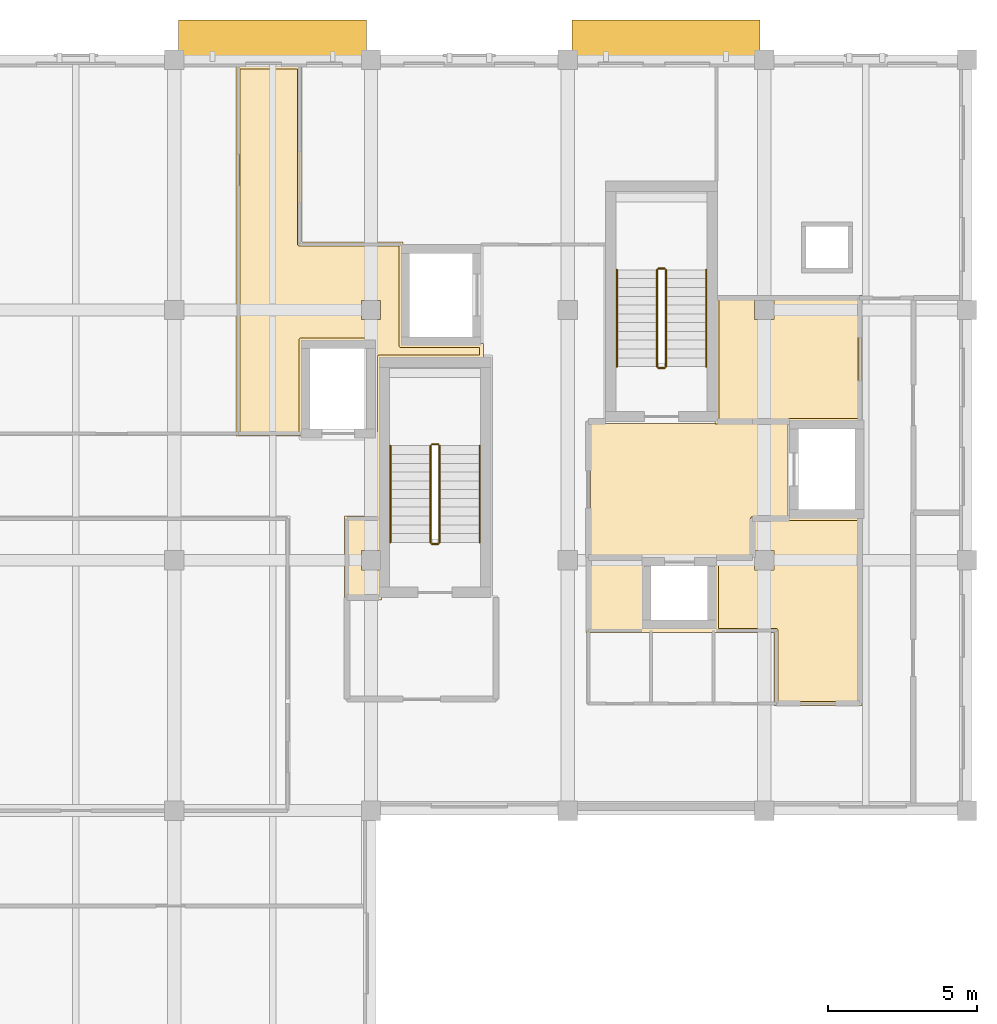
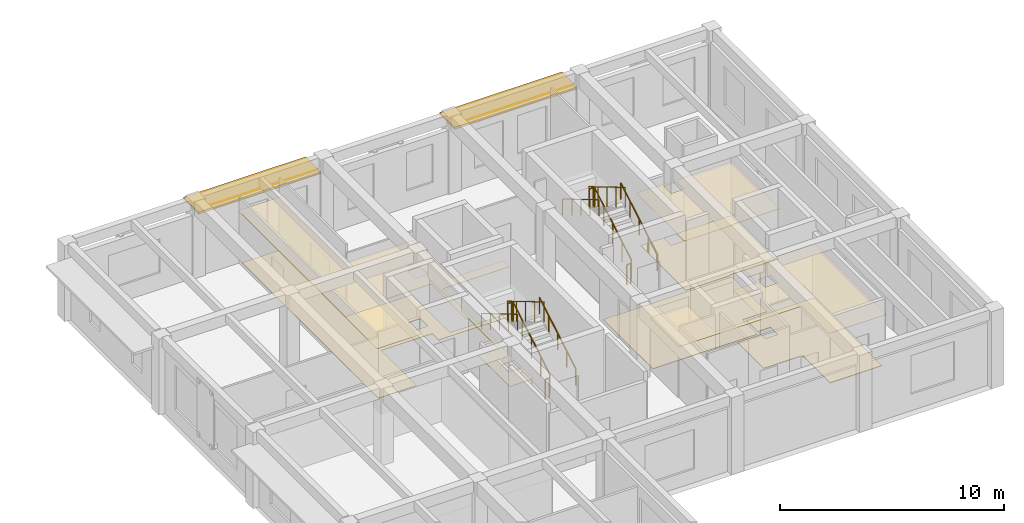
# One storey, part 14 of 14: 12 railings, 7 coverings, 2 shading devices.
"""IFC4 building model written with IfcOpenShell, lengths in metres."""

import ifcopenshell
import ifcopenshell.guid

model = None  # the IFC model being written
_history = None  # IfcOwnerHistory: only IFC2X3 demands one
_inside = {}  # id of a spatial element -> (the spatial element, [elements in it])
_under = {}  # id of a project, library or spatial element -> (it, [spatial elements below it])
_declared = {}  # id of a project -> (the project, [libraries it declares])
_typed = {}  # id of a type object -> (the type object, [elements of that type])
_made_of = {}  # id of a material, layer set ... -> (it, [elements and type objects made of it])


def new_model(schema):
    """Start an empty IFC model of exactly this schema.

    Asked for "IFC4X3", IfcOpenShell would pick the latest addendum, in which some entities
    have other attributes; the version numbers below select the first issue.
    IFC2X3 requires an IfcOwnerHistory on every rooted entity: one is made here for all.
    """
    global model, _history
    if schema == "IFC4X3":
        model = ifcopenshell.file(schema_version=(4, 3, 0, 0))
    else:
        model = ifcopenshell.file(schema=schema)
    _inside.clear()
    _under.clear()
    _declared.clear()
    _typed.clear()
    _made_of.clear()
    _history = None
    if model.schema == "IFC2X3":
        org = make("IfcOrganization", Name="unknown")
        user = make(
            "IfcPersonAndOrganization",
            ThePerson=make("IfcPerson", FamilyName="unknown"),
            TheOrganization=org,
        )
        app = make(
            "IfcApplication",
            ApplicationDeveloper=org,
            Version="unknown",
            ApplicationFullName="unknown",
            ApplicationIdentifier="unknown",
        )
        _history = make(
            "IfcOwnerHistory",
            OwningUser=user,
            OwningApplication=app,
            ChangeAction="ADDED",
            CreationDate=0,
        )
    return model


def make(cls, **values):
    """One entity of the class cls with the attributes given. An attribute that is None is left unset."""
    return model.create_entity(
        cls, **{name: value for name, value in values.items() if value is not None}
    )


def rooted(cls, **values):
    """An entity with a GlobalId (a new one), such as an element, a storey or a relation."""
    return make(cls, GlobalId=ifcopenshell.guid.new(), OwnerHistory=_history, **values)


def si_unit(unit_type, name, prefix=None):
    """IfcSIUnit, for example si_unit("LENGTHUNIT", "METRE", prefix="MILLI")."""
    return make("IfcSIUnit", UnitType=unit_type, Prefix=prefix, Name=name)


def assignment(units):
    """IfcUnitAssignment: the units of a project."""
    return None if units is None else make("IfcUnitAssignment", Units=units)


def point(xyz):
    """IfcCartesianPoint."""
    return None if xyz is None else make("IfcCartesianPoint", Coordinates=xyz)


def direction(xyz):
    """IfcDirection."""
    return None if xyz is None else make("IfcDirection", DirectionRatios=xyz)


def frame(location, z_axis=None, x_axis=None):
    """IfcAxis2Placement3D, a coordinate frame: its origin and axes. An axis left out is left unset."""
    return make(
        "IfcAxis2Placement3D",
        Location=point(location),
        Axis=direction(z_axis),
        RefDirection=direction(x_axis),
    )


def frame_2d(location, x_axis=None):
    """IfcAxis2Placement2D, a coordinate frame in the plane: its origin and x axis."""
    return make(
        "IfcAxis2Placement2D", Location=point(location), RefDirection=direction(x_axis)
    )


def origin():
    """The frame at (0, 0, 0) with its axes left unset."""
    return frame((0.0, 0.0, 0.0))


def origin_2d():
    """The frame at (0, 0) in the plane with its x axis left unset."""
    return frame_2d((0.0, 0.0))


def place(relative_to, where):
    """IfcLocalPlacement: puts the frame where relative to a parent placement (None: the world)."""
    return make(
        "IfcLocalPlacement", PlacementRelTo=relative_to, RelativePlacement=where
    )


def context(
    kind, dimensions, precision=None, world=None, true_north=None, identifier=None
):
    """IfcGeometricRepresentationContext, for example the 3D "Model" context."""
    return make(
        "IfcGeometricRepresentationContext",
        ContextIdentifier=identifier,
        ContextType=kind,
        CoordinateSpaceDimension=dimensions,
        Precision=precision,
        WorldCoordinateSystem=world,
        TrueNorth=true_north,
    )


def subcontext(parent, identifier, kind, view, scale=None):
    """IfcGeometricRepresentationSubContext, for example "Body" below "Model"."""
    return make(
        "IfcGeometricRepresentationSubContext",
        ContextIdentifier=identifier,
        ContextType=kind,
        ParentContext=parent,
        TargetScale=scale,
        TargetView=view,
    )


def project(units=None, contexts=None):
    """IfcProject with its units and contexts."""
    return rooted(
        "IfcProject",
        Name="project",
        RepresentationContexts=contexts,
        UnitsInContext=assignment(units),
    )


def spatial(cls, under=None, at=None, **own):
    """A site, building, storey or space (cls), placed at a placement, below another one or the project."""
    s = rooted(cls, ObjectPlacement=at, **own)
    if under is not None:
        _under.setdefault(under.id(), (under, []))[1].append(s)
    return s


def polyline(points):
    """IfcPolyline through the points."""
    return make("IfcPolyline", Points=[point(p) for p in points])


def profile(cls, at=None, kind="AREA", **sizes):
    """A parametric profile (cls). Its sizes go by their IFC names, for example OverallWidth=200.0."""
    return make(cls, ProfileType=kind, Position=at, **sizes)


def rectangle(**sizes):
    """IfcRectangleProfileDef."""
    return profile("IfcRectangleProfileDef", **sizes)


def circle(**sizes):
    """IfcCircleProfileDef."""
    return profile("IfcCircleProfileDef", **sizes)


def outline(outer, holes=None, kind="AREA"):
    """IfcArbitraryClosedProfileDef: a profile drawn as a closed curve; with holes, ...WithVoids."""
    if holes is None:
        return make("IfcArbitraryClosedProfileDef", ProfileType=kind, OuterCurve=outer)
    return make(
        "IfcArbitraryProfileDefWithVoids",
        ProfileType=kind,
        OuterCurve=outer,
        InnerCurves=holes,
    )


def extrude(swept, where, along, depth):
    """IfcExtrudedAreaSolid: the profile swept, set in the frame where, extruded along a direction by depth."""
    return make(
        "IfcExtrudedAreaSolid",
        SweptArea=swept,
        Position=where,
        ExtrudedDirection=direction(along),
        Depth=depth,
    )


def shape(context_of_items, identifier, shape_type, items):
    """IfcShapeRepresentation: the items that make up one representation, for example the "Body"."""
    return make(
        "IfcShapeRepresentation",
        ContextOfItems=context_of_items,
        RepresentationIdentifier=identifier,
        RepresentationType=shape_type,
        Items=items,
    )


def material(Name=None, Category=None):
    """IfcMaterial."""
    return make("IfcMaterial", Name=Name, Category=Category)


def layer(
    of_material, thickness, ventilated=None, Name=None, Category=None, Priority=None
):
    """IfcMaterialLayer: one layer of a wall or slab, of a material (None: an air gap)."""
    return make(
        "IfcMaterialLayer",
        Material=of_material,
        LayerThickness=thickness,
        IsVentilated=ventilated,
        Name=Name,
        Category=Category,
        Priority=Priority,
    )


def layer_set(layers, Name=None):
    """IfcMaterialLayerSet."""
    return make("IfcMaterialLayerSet", MaterialLayers=layers, LayerSetName=Name)


def made_of(thing, what):
    """Note that an element or type object is made of a material, layer set ...; save() writes the relation."""
    if what is not None:
        _made_of.setdefault(what.id(), (what, []))[1].append(thing)
    return thing


def type_object(cls, material=None, **own):
    """A type object (cls), such as IfcWallType, which elements share."""
    return made_of(rooted(cls, **own), material)


def element(
    cls,
    number,
    at=None,
    inside=None,
    cuts=None,
    type_object=None,
    material=None,
    context=None,
    identifier="Body",
    shape_type=None,
    held_by="IfcProductDefinitionShape",
    body=None,
    shapes=None,
    **own,
):
    """One element of the class cls, such as IfcWall. Its Tag is "e" and its number.

    at: its placement. inside: the storey or other place that contains it. cuts: it is an
    opening in that element (IfcRelVoidsElement). A single representation is given by context,
    identifier, shape_type and body (its items); several are given by shapes. held_by: the class
    of the entity that holds the representations. save() writes the other relations.
    """
    e = rooted(cls, Tag="e%d" % number, ObjectPlacement=at, **own)
    if body is not None:
        shapes = [shape(context, identifier, shape_type, body)]
    if shapes is not None:
        e.Representation = make(held_by, Representations=shapes)
    if inside is not None:
        _inside.setdefault(inside.id(), (inside, []))[1].append(e)
    if cuts is not None:
        rooted(
            "IfcRelVoidsElement", RelatingBuildingElement=cuts, RelatedOpeningElement=e
        )
    if type_object is not None:
        _typed.setdefault(type_object.id(), (type_object, []))[1].append(e)
    return made_of(e, material)


def aggregate(whole, parts):
    """IfcRelAggregates: a whole, such as a stair, and the parts it consists of."""
    return rooted("IfcRelAggregates", RelatingObject=whole, RelatedObjects=parts)


def save(model, path):
    """Write the relations noted so far, then the file.

    IfcRelAggregates (storeys below a building ...), IfcRelContainedInSpatialStructure (elements
    in a storey), IfcRelDefinesByType, IfcRelAssociatesMaterial and IfcRelDeclares: one each for
    every whole, place, type object, material and project.
    """
    for whole, parts in _under.values():
        aggregate(whole, parts)
    for where, things in _inside.values():
        rooted(
            "IfcRelContainedInSpatialStructure",
            RelatedElements=things,
            RelatingStructure=where,
        )
    for kind, things in _typed.values():
        rooted("IfcRelDefinesByType", RelatedObjects=things, RelatingType=kind)
    for what, things in _made_of.values():
        rooted("IfcRelAssociatesMaterial", RelatedObjects=things, RelatingMaterial=what)
    for by, libraries in _declared.values():
        rooted("IfcRelDeclares", RelatingContext=by, RelatedDefinitions=libraries)
    model.write(path)


model = new_model("IFC4")

# Units and contexts
model_context = context("Model", 3, precision=1e-05, world=origin(), true_north=direction((0.0, 1.0)))
body_context = subcontext(model_context, "Body", "Model", "MODEL_VIEW")
ifc_project = project(units=[si_unit("LENGTHUNIT", "METRE"), si_unit("AREAUNIT", "SQUARE_METRE"), si_unit("VOLUMEUNIT", "CUBIC_METRE"), si_unit("PLANEANGLEUNIT", "RADIAN"), si_unit("MASSUNIT", "GRAM", prefix="KILO")], contexts=[model_context])

# Site, building, storey
site_placement = place(None, origin())
site = spatial("IfcSite", under=ifc_project, at=site_placement, CompositionType="ELEMENT")
building_placement = place(site_placement, origin())
building = spatial("IfcBuilding", under=site, at=building_placement, Name="Kolvaren Faculty of Natural Sciences", CompositionType="ELEMENT")
storey_placement = place(building_placement, frame((0.0, 0.0, 28.5)))
storey = spatial("IfcBuildingStorey", under=building, at=storey_placement, Name="L06", CompositionType="ELEMENT", Elevation=28.5)

# Coverings
ifc_material_1 = material(Name="Perforated mineral-fibre acoustic suspended ceiling tile")
ifc_layer_1 = layer(ifc_material_1, 0.02490234375)
ifc_layer_set_1 = layer_set([ifc_layer_1], Name="Perforated mineral-fibre acoustic suspended ceiling tile")
covering_type_1 = type_object("IfcCoveringType", Name="AcousticSuspendedCeiling_25", PredefinedType="CEILING", material=ifc_layer_set_1)
covering_1_placement = place(storey_placement, frame((0.0, 0.0, 2.824951171875)))
element("IfcCovering", 1, at=covering_1_placement, inside=storey, type_object=covering_type_1, Name="L06 Precision Specimen Store acoustic ceiling", PredefinedType="CEILING", context=body_context, shape_type="SweptSolid", body=[
    extrude(outline(polyline([(165.52001953125, 62.52001953125), (165.52001953125, 64.969970703125), (159.219970703125, 64.969970703125), (159.219970703125, 67.580078125), (161.179931640625, 67.580078125), (161.179931640625, 65.179931640625), (163.52001953125, 65.179931640625), (163.52001953125, 67.580078125), (164.719970703125, 67.580078125), (164.719970703125, 68.8798828125), (168.47998046875, 68.8798828125), (168.47998046875, 62.52001953125), (165.52001953125, 62.52001953125)]), holes=[polyline([(165.52490234375, 67.074951171875), (165.52490234375, 67.72509765625), (164.875, 67.72509765625), (164.875, 67.074951171875), (165.52490234375, 67.074951171875)])]), origin(), (0.0, 0.0, 1.0), 0.025146484375),
])
covering_2_placement = place(storey_placement, frame((0.0, 0.0, 2.824951171875)))
element("IfcCovering", 2, at=covering_2_placement, inside=storey, type_object=covering_type_1, Name="L06 L06 Reagent and Cryo-Specimen Store acoustic ceiling", PredefinedType="CEILING", context=body_context, shape_type="SweptSolid", body=[
    extrude(outline(polyline([(163.544921875, 71.969970703125), (163.544921875, 76.280029296875), (168.47998046875, 76.280029296875), (168.47998046875, 72.02001953125), (166.1298828125, 72.02001953125), (166.1298828125, 71.969970703125), (163.544921875, 71.969970703125)]), holes=[polyline([(164.875, 75.47509765625), (165.52490234375, 75.47509765625), (165.52490234375, 76.125), (164.875, 76.125), (164.875, 75.47509765625)])]), origin(), (0.0, 0.0, 1.0), 0.025146484375),
])
covering_3_placement = place(storey_placement, frame((0.0, 0.0, 2.824951171875)))
element("IfcCovering", 3, at=covering_3_placement, inside=storey, type_object=covering_type_1, Name="L06 L06 Interdisciplinary Research Laboratory 19 acoustic ceiling", PredefinedType="CEILING", context=body_context, shape_type="SweptSolid", body=[
    extrude(outline(polyline([(153.080078125, 78.080078125), (153.080078125, 74.679931640625), (155.780029296875, 74.679931640625), (155.780029296875, 74.14501953125), (152.35498046875, 74.14501953125), (152.35498046875, 66.070068359375), (151.1201171875, 66.070068359375), (151.1201171875, 68.8798828125), (152.169921875, 68.8798828125), (152.169921875, 71.570068359375), (152.070068359375, 71.570068359375), (152.070068359375, 74.719970703125), (149.72998046875, 74.719970703125), (149.72998046875, 71.570068359375), (147.469970703125, 71.570068359375), (147.469970703125, 83.97998046875), (149.679931640625, 83.97998046875), (149.679931640625, 78.080078125), (153.080078125, 78.080078125)]), holes=[polyline([(151.675048828125, 67.074951171875), (152.324951171875, 67.074951171875), (152.324951171875, 67.72509765625), (151.675048828125, 67.72509765625), (151.675048828125, 67.074951171875)]), polyline([(152.324951171875, 75.47509765625), (152.324951171875, 76.125), (151.675048828125, 76.125), (151.675048828125, 75.47509765625), (152.324951171875, 75.47509765625)])]), origin(), (0.0, 0.0, 1.0), 0.025146484375),
])

# Shading devices
ifc_material_2 = material(Name="Precast concrete C35/45", Category="concrete")
ifc_layer_2 = layer(ifc_material_2, 0.1201171875)
ifc_layer_set_2 = layer_set([ifc_layer_2], Name="Precast concrete C35/45")
shading_device_type = type_object("IfcShadingDeviceType", Name="ChhajjaSolarHood_1350", PredefinedType="AWNING", material=ifc_layer_set_2)
for number, where, z_axis, x_axis, name in (
    (4, (148.699951171875, 84.85498046875, 3.19482421875), (0.0, 0.0, 1.0), (1.0, 0.0, 0.0), "L06 precast sandstone chhajja solar hood 182"),
    (5, (161.89990234375, 84.85498046875, 3.19482421875), (0.0, 0.0, 1.0), (1.0, 0.0, 0.0), "L06 precast sandstone chhajja solar hood 183"),
):
    element("IfcShadingDevice", number, at=place(storey_placement, frame(where, z_axis=z_axis, x_axis=x_axis)), inside=storey, type_object=shading_device_type, Name=name, PredefinedType="AWNING", context=body_context, shape_type="SweptSolid", body=[
        extrude(rectangle(XDim=6.300048828125, YDim=1.35009765625, at=origin_2d()), origin(), (0.0, 0.0, 1.0), 0.1201171875),
    ])

# Covering
ifc_material_3 = material(Name="Seamless chemical-resistant laboratory epoxy resin flooring")
ifc_layer_3 = layer(ifc_material_3, 0.02001953125)
ifc_layer_set_3 = layer_set([ifc_layer_3], Name="Seamless chemical-resistant laboratory epoxy resin flooring")
covering_type_2 = type_object("IfcCoveringType", Name="LabEpoxyFloorFinish_20", PredefinedType="FLOORING", material=ifc_layer_set_3)
covering_4_placement = place(storey_placement, origin())
element("IfcCovering", 6, at=covering_4_placement, inside=storey, type_object=covering_type_2, Name="L06 L06 Interdisciplinary Research Laboratory 19 floor finish", PredefinedType="FLOORING", context=body_context, shape_type="SweptSolid", body=[
    extrude(outline(polyline([(149.5400390625, 78.0), (149.540283203125, 77.994140625), (149.541259765625, 77.98828125), (149.54248046875, 77.982666015625), (149.544677734375, 77.97705078125), (149.547119140625, 77.9716796875), (149.550048828125, 77.966796875), (149.5537109375, 77.9619140625), (149.5576171875, 77.95751953125), (149.56201171875, 77.95361328125), (149.566650390625, 77.9501953125), (149.57177734375, 77.947021484375), (149.576904296875, 77.944580078125), (149.58251953125, 77.942626953125), (149.58837890625, 77.941162109375), (149.593994140625, 77.940185546875), (149.60009765625, 77.93994140625), (152.93994140625, 77.93994140625), (152.93994140625, 74.60009765625), (152.940185546875, 74.593994140625), (152.941162109375, 74.58837890625), (152.942626953125, 74.58251953125), (152.944580078125, 74.576904296875), (152.947021484375, 74.57177734375), (152.9501953125, 74.566650390625), (152.95361328125, 74.56201171875), (152.95751953125, 74.5576171875), (152.9619140625, 74.5537109375), (152.966796875, 74.550048828125), (152.9716796875, 74.547119140625), (152.97705078125, 74.544677734375), (152.982666015625, 74.54248046875), (152.98828125, 74.541259765625), (152.994140625, 74.540283203125), (153.0, 74.5400390625), (155.639892578125, 74.5400390625), (155.639892578125, 74.284912109375), (152.27490234375, 74.284912109375), (152.26904296875, 74.28466796875), (152.26318359375, 74.28369140625), (152.257568359375, 74.282470703125), (152.251953125, 74.280517578125), (152.24658203125, 74.27783203125), (152.24169921875, 74.27490234375), (152.23681640625, 74.271484375), (152.232666015625, 74.267333984375), (152.228515625, 74.26318359375), (152.22509765625, 74.25830078125), (152.22216796875, 74.25341796875), (152.219482421875, 74.248046875), (152.217529296875, 74.242431640625), (152.21630859375, 74.23681640625), (152.21533203125, 74.23095703125), (152.215087890625, 74.22509765625), (152.215087890625, 71.7099609375), (152.2099609375, 71.7099609375), (152.2099609375, 74.800048828125), (152.209716796875, 74.805908203125), (152.208740234375, 74.811767578125), (152.20751953125, 74.8173828125), (152.205322265625, 74.822998046875), (152.202880859375, 74.828369140625), (152.199951171875, 74.833251953125), (152.1962890625, 74.838134765625), (152.1923828125, 74.84228515625), (152.18798828125, 74.846435546875), (152.183349609375, 74.849853515625), (152.17822265625, 74.852783203125), (152.173095703125, 74.85546875), (152.16748046875, 74.857421875), (152.16162109375, 74.85888671875), (152.156005859375, 74.859619140625), (152.14990234375, 74.860107421875), (149.64990234375, 74.860107421875), (149.64404296875, 74.859619140625), (149.63818359375, 74.85888671875), (149.632568359375, 74.857421875), (149.626953125, 74.85546875), (149.62158203125, 74.852783203125), (149.61669921875, 74.849853515625), (149.61181640625, 74.846435546875), (149.607666015625, 74.84228515625), (149.603515625, 74.838134765625), (149.60009765625, 74.833251953125), (149.59716796875, 74.828369140625), (149.594482421875, 74.822998046875), (149.592529296875, 74.8173828125), (149.59130859375, 74.811767578125), (149.59033203125, 74.805908203125), (149.590087890625, 74.800048828125), (149.590087890625, 71.7099609375), (147.610107421875, 71.7099609375), (147.610107421875, 83.889892578125), (149.5400390625, 83.889892578125), (149.5400390625, 78.0)]), holes=[polyline([(152.324951171875, 75.47509765625), (152.324951171875, 76.125), (151.675048828125, 76.125), (151.675048828125, 75.47509765625), (152.324951171875, 75.47509765625)])]), origin(), (0.0, 0.0, 1.0), 0.02001953125),
])

# Railings
ifc_material_4 = material(Name="Structural steel EN 10210-1 S355J2H", Category="steel")
ifc_layer_4 = layer(ifc_material_4, 0.048095703125)
ifc_layer_set_4 = layer_set([ifc_layer_4], Name="Structural steel EN 10210-1 S355J2H")
railing_type_1 = type_object("IfcRailingType", Name="StairPitchHandrail_920", PredefinedType="HANDRAIL", material=ifc_layer_set_4)
railing_1_placement = place(storey_placement, frame((163.25, 73.89990234375, 0.175048828125)))
element("IfcRailing", 7, at=railing_1_placement, inside=storey, type_object=railing_type_1, Name="L06 ST-1 stair handrail 1", PredefinedType="HANDRAIL", context=body_context, shape_type="SweptSolid", body=[
    extrude(circle(Radius=0.02392578125, at=origin_2d()), frame((0.0, 0.0, 0.8759765625), z_axis=(0.0, 0.860057060016, 0.510197857224), x_axis=(-1.0, 0.0, 0.0)), (0.0, 0.0, 1.0), 3.773193359375),
    extrude(circle(Radius=0.02099609375, at=origin_2d()), origin(), (0.0, 0.0, 1.0), 0.851806640625),
    extrude(circle(Radius=0.02099609375, at=origin_2d()), frame((0.0, 0.811279296875, 0.481201171875)), (0.0, 0.0, 1.0), 0.851806640625),
    extrude(circle(Radius=0.02099609375, at=origin_2d()), frame((0.0, 1.62255859375, 0.96240234375)), (0.0, 0.0, 1.0), 0.851806640625),
    extrude(circle(Radius=0.02099609375, at=origin_2d()), frame((0.0, 2.433837890625, 1.44384765625)), (0.0, 0.0, 1.0), 0.851806640625),
    extrude(circle(Radius=0.02099609375, at=origin_2d()), frame((0.0, 3.2451171875, 1.925048828125)), (0.0, 0.0, 1.0), 0.851806640625),
])
railing_2_placement = place(storey_placement, frame((160.25, 77.14501953125, 2.27490234375)))
element("IfcRailing", 8, at=railing_2_placement, inside=storey, type_object=railing_type_1, Name="L06 ST-1 stair handrail 2", PredefinedType="HANDRAIL", context=body_context, shape_type="SweptSolid", body=[
    extrude(circle(Radius=0.02392578125, at=origin_2d()), frame((0.0, 0.0, 0.8759765625), z_axis=(0.0, -0.860057060016, 0.510197857224), x_axis=(1.0, 0.0, 0.0)), (0.0, 0.0, 1.0), 3.773193359375),
    extrude(circle(Radius=0.02099609375, at=origin_2d()), origin(), (0.0, 0.0, 1.0), 0.851806640625),
    extrude(circle(Radius=0.02099609375, at=origin_2d()), frame((0.0, -0.811279296875, 0.481201171875)), (0.0, 0.0, 1.0), 0.851806640625),
    extrude(circle(Radius=0.02099609375, at=origin_2d()), frame((0.0, -1.62255859375, 0.96240234375)), (0.0, 0.0, 1.0), 0.851806640625),
    extrude(circle(Radius=0.02099609375, at=origin_2d()), frame((0.0, -2.433837890625, 1.44384765625)), (0.0, 0.0, 1.0), 0.851806640625),
    extrude(circle(Radius=0.02099609375, at=origin_2d()), frame((0.0, -3.2451171875, 1.925048828125)), (0.0, 0.0, 1.0), 0.851806640625),
])
railing_3_placement = place(storey_placement, frame((155.64990234375, 68.0, 0.175048828125)))
element("IfcRailing", 9, at=railing_3_placement, inside=storey, type_object=railing_type_1, Name="L06 ST-2 stair handrail 1", PredefinedType="HANDRAIL", context=body_context, shape_type="SweptSolid", body=[
    extrude(circle(Radius=0.02392578125, at=origin_2d()), frame((0.0, 0.0, 0.8759765625), z_axis=(0.0, 0.860057060016, 0.510197857224), x_axis=(-1.0, 0.0, 0.0)), (0.0, 0.0, 1.0), 3.773193359375),
    extrude(circle(Radius=0.02099609375, at=origin_2d()), origin(), (0.0, 0.0, 1.0), 0.851806640625),
    extrude(circle(Radius=0.02099609375, at=origin_2d()), frame((0.0, 0.811279296875, 0.481201171875)), (0.0, 0.0, 1.0), 0.851806640625),
    extrude(circle(Radius=0.02099609375, at=origin_2d()), frame((0.0, 1.62255859375, 0.96240234375)), (0.0, 0.0, 1.0), 0.851806640625),
    extrude(circle(Radius=0.02099609375, at=origin_2d()), frame((0.0, 2.433837890625, 1.44384765625)), (0.0, 0.0, 1.0), 0.851806640625),
    extrude(circle(Radius=0.02099609375, at=origin_2d()), frame((0.0, 3.2451171875, 1.925048828125)), (0.0, 0.0, 1.0), 0.851806640625),
])
railing_4_placement = place(storey_placement, frame((152.64990234375, 71.2451171875, 2.27490234375)))
element("IfcRailing", 10, at=railing_4_placement, inside=storey, type_object=railing_type_1, Name="L06 ST-2 stair handrail 2", PredefinedType="HANDRAIL", context=body_context, shape_type="SweptSolid", body=[
    extrude(circle(Radius=0.02392578125, at=origin_2d()), frame((0.0, 0.0, 0.8759765625), z_axis=(0.0, -0.860057060016, 0.510197857224), x_axis=(1.0, 0.0, 0.0)), (0.0, 0.0, 1.0), 3.773193359375),
    extrude(circle(Radius=0.02099609375, at=origin_2d()), origin(), (0.0, 0.0, 1.0), 0.851806640625),
    extrude(circle(Radius=0.02099609375, at=origin_2d()), frame((0.0, -0.811279296875, 0.481201171875)), (0.0, 0.0, 1.0), 0.851806640625),
    extrude(circle(Radius=0.02099609375, at=origin_2d()), frame((0.0, -1.62255859375, 0.96240234375)), (0.0, 0.0, 1.0), 0.851806640625),
    extrude(circle(Radius=0.02099609375, at=origin_2d()), frame((0.0, -2.433837890625, 1.44384765625)), (0.0, 0.0, 1.0), 0.851806640625),
    extrude(circle(Radius=0.02099609375, at=origin_2d()), frame((0.0, -3.2451171875, 1.925048828125)), (0.0, 0.0, 1.0), 0.851806640625),
])
ifc_layer_5 = layer(ifc_material_4, 0.048095703125)
ifc_layer_set_5 = layer_set([ifc_layer_5], Name="Structural steel EN 10210-1 S355J2H")
railing_type_2 = type_object("IfcRailingType", Name="StairWellGuard_1100", PredefinedType="BALUSTRADE", material=ifc_layer_set_5)
railing_5_placement = place(storey_placement, frame((161.89990234375, 73.89990234375, 0.175048828125)))
element("IfcRailing", 11, at=railing_5_placement, inside=storey, type_object=railing_type_2, Name="L06 ST-1 stair guard 1", PredefinedType="BALUSTRADE", context=body_context, shape_type="SweptSolid", body=[
    extrude(circle(Radius=0.02392578125, at=origin_2d()), frame((0.0, 0.0, 1.076171875), z_axis=(0.0, 0.860057060016, 0.510197857224), x_axis=(-1.0, 0.0, 0.0)), (0.0, 0.0, 1.0), 3.773193359375),
    extrude(circle(Radius=0.02099609375, at=origin_2d()), origin(), (0.0, 0.0, 1.0), 1.052001953125),
    extrude(circle(Radius=0.02099609375, at=origin_2d()), frame((0.0, 0.811279296875, 0.481201171875)), (0.0, 0.0, 1.0), 1.052001953125),
    extrude(circle(Radius=0.02099609375, at=origin_2d()), frame((0.0, 1.62255859375, 0.96240234375)), (0.0, 0.0, 1.0), 1.052001953125),
    extrude(circle(Radius=0.02099609375, at=origin_2d()), frame((0.0, 2.433837890625, 1.44384765625)), (0.0, 0.0, 1.0), 1.052001953125),
    extrude(circle(Radius=0.02099609375, at=origin_2d()), frame((0.0, 3.2451171875, 1.925048828125)), (0.0, 0.0, 1.0), 1.052001953125),
])
railing_6_placement = place(storey_placement, frame((161.85009765625, 77.195068359375, 2.10009765625)))
element("IfcRailing", 12, at=railing_6_placement, inside=storey, type_object=railing_type_2, Name="L06 ST-1 stair guard 2", PredefinedType="BALUSTRADE", context=body_context, shape_type="SweptSolid", body=[
    extrude(circle(Radius=0.02392578125, at=origin_2d()), frame((0.0, 0.0, 1.076171875), z_axis=(-1.0, 0.0, 0.0), x_axis=(0.0, -1.0, 0.0)), (0.0, 0.0, 1.0), 0.2001953125),
    extrude(circle(Radius=0.02099609375, at=origin_2d()), origin(), (0.0, 0.0, 1.0), 1.052001953125),
    extrude(circle(Radius=0.02099609375, at=origin_2d()), frame((-0.2001953125, 0.0, 0.0)), (0.0, 0.0, 1.0), 1.052001953125),
])
railing_7_placement = place(storey_placement, frame((161.60009765625, 77.14501953125, 2.27490234375)))
element("IfcRailing", 13, at=railing_7_placement, inside=storey, type_object=railing_type_2, Name="L06 ST-1 stair guard 3", PredefinedType="BALUSTRADE", context=body_context, shape_type="SweptSolid", body=[
    extrude(circle(Radius=0.02392578125, at=origin_2d()), frame((0.0, 0.0, 1.076171875), z_axis=(0.0, -0.860057060016, 0.510197857224), x_axis=(1.0, 0.0, 0.0)), (0.0, 0.0, 1.0), 3.773193359375),
    extrude(circle(Radius=0.02099609375, at=origin_2d()), origin(), (0.0, 0.0, 1.0), 1.052001953125),
    extrude(circle(Radius=0.02099609375, at=origin_2d()), frame((0.0, -0.811279296875, 0.481201171875)), (0.0, 0.0, 1.0), 1.052001953125),
    extrude(circle(Radius=0.02099609375, at=origin_2d()), frame((0.0, -1.62255859375, 0.96240234375)), (0.0, 0.0, 1.0), 1.052001953125),
    extrude(circle(Radius=0.02099609375, at=origin_2d()), frame((0.0, -2.433837890625, 1.44384765625)), (0.0, 0.0, 1.0), 1.052001953125),
    extrude(circle(Radius=0.02099609375, at=origin_2d()), frame((0.0, -3.2451171875, 1.925048828125)), (0.0, 0.0, 1.0), 1.052001953125),
])
railing_8_placement = place(storey_placement, frame((161.85009765625, 73.85009765625, 0.0)))
element("IfcRailing", 14, at=railing_8_placement, inside=storey, type_object=railing_type_2, Name="L06 ST-1 stair guard 4", PredefinedType="BALUSTRADE", context=body_context, shape_type="SweptSolid", body=[
    extrude(circle(Radius=0.02392578125, at=origin_2d()), frame((0.0, 0.0, 1.076171875), z_axis=(-1.0, 0.0, 0.0), x_axis=(0.0, -1.0, 0.0)), (0.0, 0.0, 1.0), 0.2001953125),
    extrude(circle(Radius=0.02099609375, at=origin_2d()), origin(), (0.0, 0.0, 1.0), 1.052001953125),
    extrude(circle(Radius=0.02099609375, at=origin_2d()), frame((-0.2001953125, 0.0, 0.0)), (0.0, 0.0, 1.0), 1.052001953125),
])
railing_9_placement = place(storey_placement, frame((154.300048828125, 68.0, 0.175048828125)))
element("IfcRailing", 15, at=railing_9_placement, inside=storey, type_object=railing_type_2, Name="L06 ST-2 stair guard 1", PredefinedType="BALUSTRADE", context=body_context, shape_type="SweptSolid", body=[
    extrude(circle(Radius=0.02392578125, at=origin_2d()), frame((0.0, 0.0, 1.076171875), z_axis=(0.0, 0.860057060016, 0.510197857224), x_axis=(-1.0, 0.0, 0.0)), (0.0, 0.0, 1.0), 3.773193359375),
    extrude(circle(Radius=0.02099609375, at=origin_2d()), origin(), (0.0, 0.0, 1.0), 1.052001953125),
    extrude(circle(Radius=0.02099609375, at=origin_2d()), frame((0.0, 0.811279296875, 0.481201171875)), (0.0, 0.0, 1.0), 1.052001953125),
    extrude(circle(Radius=0.02099609375, at=origin_2d()), frame((0.0, 1.62255859375, 0.96240234375)), (0.0, 0.0, 1.0), 1.052001953125),
    extrude(circle(Radius=0.02099609375, at=origin_2d()), frame((0.0, 2.433837890625, 1.44384765625)), (0.0, 0.0, 1.0), 1.052001953125),
    extrude(circle(Radius=0.02099609375, at=origin_2d()), frame((0.0, 3.2451171875, 1.925048828125)), (0.0, 0.0, 1.0), 1.052001953125),
])
railing_10_placement = place(storey_placement, frame((154.25, 71.294921875, 2.10009765625)))
element("IfcRailing", 16, at=railing_10_placement, inside=storey, type_object=railing_type_2, Name="L06 ST-2 stair guard 2", PredefinedType="BALUSTRADE", context=body_context, shape_type="SweptSolid", body=[
    extrude(circle(Radius=0.02392578125, at=origin_2d()), frame((0.0, 0.0, 1.076171875), z_axis=(-1.0, 0.0, 0.0), x_axis=(0.0, -1.0, 0.0)), (0.0, 0.0, 1.0), 0.199951171875),
    extrude(circle(Radius=0.02099609375, at=origin_2d()), origin(), (0.0, 0.0, 1.0), 1.052001953125),
    extrude(circle(Radius=0.02099609375, at=origin_2d()), frame((-0.199951171875, 0.0, 0.0)), (0.0, 0.0, 1.0), 1.052001953125),
])
railing_11_placement = place(storey_placement, frame((154.0, 71.2451171875, 2.27490234375)))
element("IfcRailing", 17, at=railing_11_placement, inside=storey, type_object=railing_type_2, Name="L06 ST-2 stair guard 3", PredefinedType="BALUSTRADE", context=body_context, shape_type="SweptSolid", body=[
    extrude(circle(Radius=0.02392578125, at=origin_2d()), frame((0.0, 0.0, 1.076171875), z_axis=(0.0, -0.860057060016, 0.510197857224), x_axis=(1.0, 0.0, 0.0)), (0.0, 0.0, 1.0), 3.773193359375),
    extrude(circle(Radius=0.02099609375, at=origin_2d()), origin(), (0.0, 0.0, 1.0), 1.052001953125),
    extrude(circle(Radius=0.02099609375, at=origin_2d()), frame((0.0, -0.811279296875, 0.481201171875)), (0.0, 0.0, 1.0), 1.052001953125),
    extrude(circle(Radius=0.02099609375, at=origin_2d()), frame((0.0, -1.62255859375, 0.96240234375)), (0.0, 0.0, 1.0), 1.052001953125),
    extrude(circle(Radius=0.02099609375, at=origin_2d()), frame((0.0, -2.433837890625, 1.44384765625)), (0.0, 0.0, 1.0), 1.052001953125),
    extrude(circle(Radius=0.02099609375, at=origin_2d()), frame((0.0, -3.2451171875, 1.925048828125)), (0.0, 0.0, 1.0), 1.052001953125),
])
railing_12_placement = place(storey_placement, frame((154.25, 67.949951171875, 0.0)))
element("IfcRailing", 18, at=railing_12_placement, inside=storey, type_object=railing_type_2, Name="L06 ST-2 stair guard 4", PredefinedType="BALUSTRADE", context=body_context, shape_type="SweptSolid", body=[
    extrude(circle(Radius=0.02392578125, at=origin_2d()), frame((0.0, 0.0, 1.076171875), z_axis=(-1.0, 0.0, 0.0), x_axis=(0.0, -1.0, 0.0)), (0.0, 0.0, 1.0), 0.199951171875),
    extrude(circle(Radius=0.02099609375, at=origin_2d()), origin(), (0.0, 0.0, 1.0), 1.052001953125),
    extrude(circle(Radius=0.02099609375, at=origin_2d()), frame((-0.199951171875, 0.0, 0.0)), (0.0, 0.0, 1.0), 1.052001953125),
])

# Coverings
ifc_material_5 = material(Name="Polished Uruguayan grey granite terrazzo flooring", Category="masonry")
ifc_layer_6 = layer(ifc_material_5, 0.030029296875)
ifc_layer_set_6 = layer_set([ifc_layer_6], Name="Polished Uruguayan grey granite terrazzo flooring")
covering_type_3 = type_object("IfcCoveringType", Name="TerrazzoFloorFinish_30", PredefinedType="FLOORING", material=ifc_layer_set_6)
covering_5_placement = place(storey_placement, origin())
element("IfcCovering", 19, at=covering_5_placement, inside=storey, type_object=covering_type_3, Name="L06 L06 Firefighting Rescue Lobby CORE-C1 floor finish", PredefinedType="FLOORING", context=body_context, shape_type="SweptSolid", body=[
    extrude(outline(polyline([(165.989990234375, 71.989990234375), (165.989990234375, 68.860107421875), (164.800048828125, 68.860107421875), (164.794189453125, 68.859619140625), (164.788330078125, 68.85888671875), (164.78271484375, 68.857421875), (164.777099609375, 68.85546875), (164.771728515625, 68.852783203125), (164.7666015625, 68.849853515625), (164.761962890625, 68.846435546875), (164.757568359375, 68.84228515625), (164.753662109375, 68.838134765625), (164.75, 68.833251953125), (164.7470703125, 68.828369140625), (164.74462890625, 68.822998046875), (164.74267578125, 68.8173828125), (164.7412109375, 68.811767578125), (164.740234375, 68.805908203125), (164.739990234375, 68.800048828125), (164.739990234375, 67.56005859375), (159.360107421875, 67.56005859375), (159.360107421875, 71.989990234375), (165.989990234375, 71.989990234375)])), origin(), (0.0, 0.0, 1.0), 0.030029296875),
])
covering_6_placement = place(storey_placement, origin())
element("IfcCovering", 20, at=covering_6_placement, inside=storey, type_object=covering_type_3, Name="L06 Precision Specimen Store floor finish", PredefinedType="FLOORING", context=body_context, shape_type="SweptSolid", body=[
    extrude(outline(polyline([(163.659912109375, 67.43994140625), (164.800048828125, 67.43994140625), (164.805908203125, 67.440185546875), (164.811767578125, 67.441162109375), (164.8173828125, 67.442626953125), (164.822998046875, 67.444580078125), (164.828369140625, 67.447021484375), (164.833251953125, 67.4501953125), (164.838134765625, 67.45361328125), (164.84228515625, 67.45751953125), (164.846435546875, 67.4619140625), (164.849853515625, 67.466796875), (164.852783203125, 67.4716796875), (164.85546875, 67.47705078125), (164.857421875, 67.482666015625), (164.85888671875, 67.48828125), (164.859619140625, 67.494140625), (164.860107421875, 67.5), (164.860107421875, 68.739990234375), (168.340087890625, 68.739990234375), (168.340087890625, 62.659912109375), (165.659912109375, 62.659912109375), (165.659912109375, 65.050048828125), (165.65966796875, 65.055908203125), (165.65869140625, 65.061767578125), (165.657470703125, 65.0673828125), (165.655517578125, 65.072998046875), (165.65283203125, 65.078369140625), (165.64990234375, 65.083251953125), (165.646484375, 65.088134765625), (165.642333984375, 65.09228515625), (165.63818359375, 65.096435546875), (165.63330078125, 65.099853515625), (165.62841796875, 65.102783203125), (165.623046875, 65.10546875), (165.617431640625, 65.107421875), (165.61181640625, 65.10888671875), (165.60595703125, 65.109619140625), (165.60009765625, 65.110107421875), (163.659912109375, 65.110107421875), (163.659912109375, 67.43994140625)]), holes=[polyline([(165.52490234375, 67.074951171875), (165.52490234375, 67.72509765625), (164.875, 67.72509765625), (164.875, 67.074951171875), (165.52490234375, 67.074951171875)])]), origin(), (0.0, 0.0, 1.0), 0.030029296875),
])
covering_7_placement = place(storey_placement, origin())
element("IfcCovering", 21, at=covering_7_placement, inside=storey, type_object=covering_type_3, Name="L06 L06 Reagent and Cryo-Specimen Store floor finish", PredefinedType="FLOORING", context=body_context, shape_type="SweptSolid", body=[
    extrude(outline(polyline([(163.68505859375, 72.110107421875), (163.68505859375, 76.139892578125), (168.340087890625, 76.139892578125), (168.340087890625, 72.159912109375), (166.050048828125, 72.159912109375), (166.044189453125, 72.15966796875), (166.038330078125, 72.15869140625), (166.03271484375, 72.157470703125), (166.027099609375, 72.155517578125), (166.021728515625, 72.15283203125), (166.0166015625, 72.14990234375), (166.011962890625, 72.146484375), (166.007568359375, 72.142333984375), (166.003662109375, 72.13818359375), (166.0, 72.13330078125), (165.9970703125, 72.12841796875), (165.99462890625, 72.123046875), (165.99267578125, 72.117431640625), (165.9912109375, 72.11181640625), (165.990966796875, 72.110107421875), (163.68505859375, 72.110107421875)]), holes=[polyline([(164.875, 75.47509765625), (165.52490234375, 75.47509765625), (165.52490234375, 76.125), (164.875, 76.125), (164.875, 75.47509765625)])]), origin(), (0.0, 0.0, 1.0), 0.030029296875),
])

save(model, "model.ifc")
